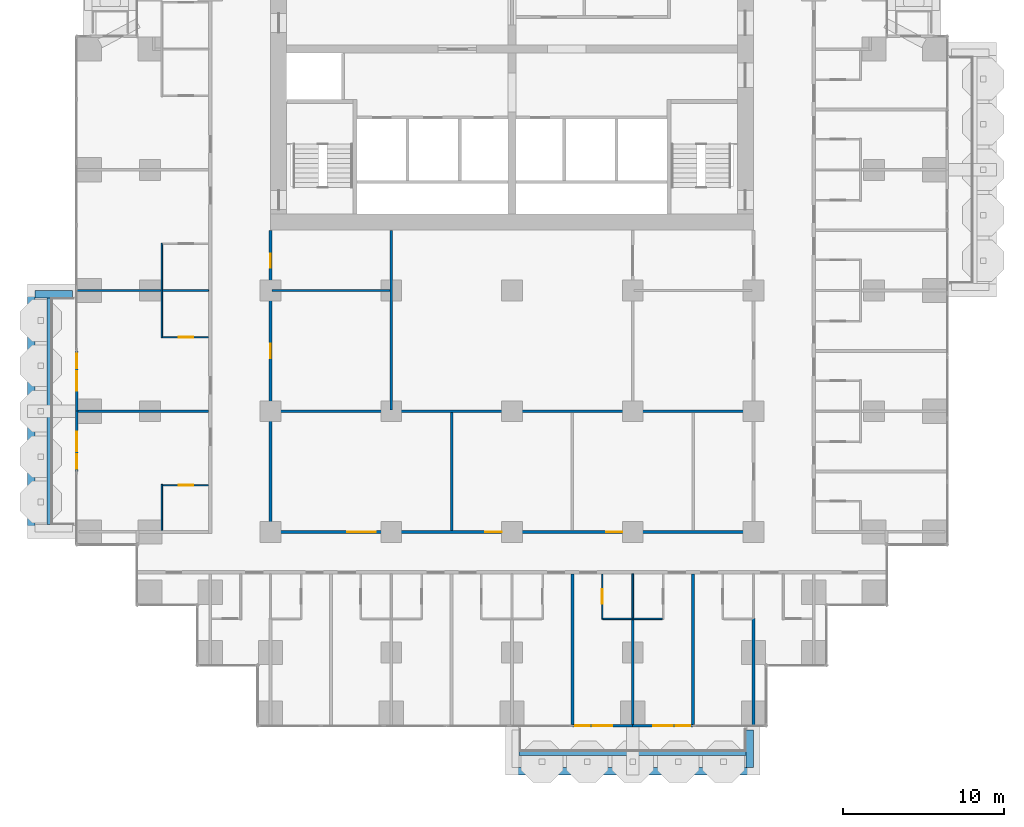
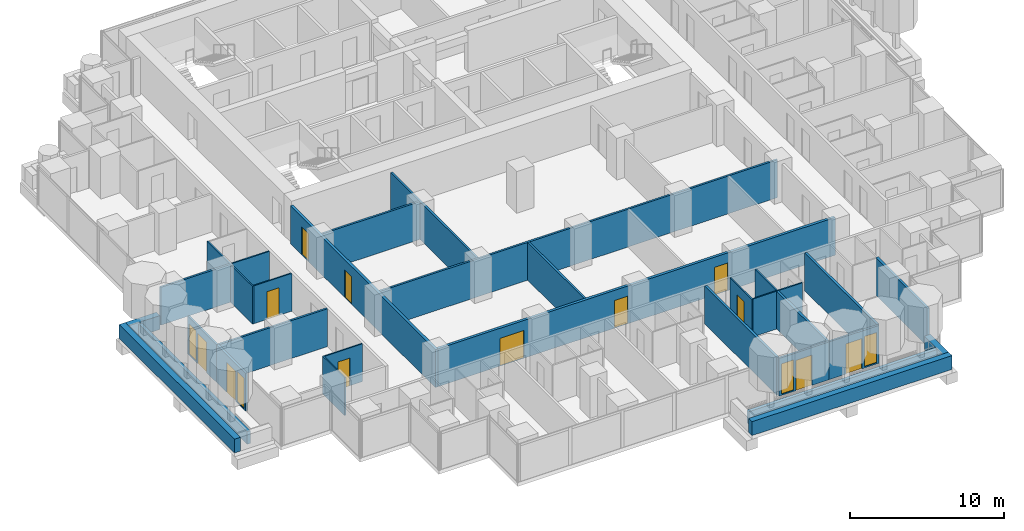
# One storey, part 12 of 20: 30 walls, 12 doors, 4 windows, 16 openings.
"""IFC4 building model written with IfcOpenShell, lengths in metres."""

from ifc_helpers import new_model, si_unit, direction, frame, frame_2d, origin, place, context, subcontext, project, spatial, rectangle, extrude, material, layer, layer_set, type_object, element, fill, save


model = new_model("IFC4")

# Units and contexts
model_context = context("Model", 3, precision=1e-05, world=origin(), true_north=direction((0.0, 1.0)))
body_context = subcontext(model_context, "Body", "Model", "MODEL_VIEW")
ifc_project = project(units=[si_unit("LENGTHUNIT", "METRE"), si_unit("AREAUNIT", "SQUARE_METRE"), si_unit("VOLUMEUNIT", "CUBIC_METRE"), si_unit("PLANEANGLEUNIT", "RADIAN"), si_unit("MASSUNIT", "GRAM", prefix="KILO")], contexts=[model_context])

# Site, building, storey
site_placement = place(None, origin())
site = spatial("IfcSite", under=ifc_project, at=site_placement, CompositionType="ELEMENT")
building_placement = place(site_placement, origin())
building = spatial("IfcBuilding", under=site, at=building_placement, Name="Pilkhan Gate Tower", CompositionType="ELEMENT")
storey_placement = place(building_placement, frame((0.0, 0.0, 92.300048828125)))
storey = spatial("IfcBuildingStorey", under=building, at=storey_placement, Name="L22", CompositionType="ELEMENT", Elevation=92.300048828125)

# Walls
ifc_material_1 = material(Name="Dense blockwork", Category="masonry")
ifc_layer_1 = layer(ifc_material_1, 0.175048828125)
ifc_layer_set_1 = layer_set([ifc_layer_1], Name="Acoustic party wall PW175")
wall_type_1 = type_object("IfcWallType", Name="Acoustic party wall PW175", PredefinedType="PARTITIONING", material=ifc_layer_set_1)
wall_1_placement = place(storey_placement, frame((78.75, 40.5400390625, 0.0), z_axis=(0.0, 0.0, 1.0), x_axis=(0.0, 1.0, 0.0)))
element("IfcWall", 1, at=wall_1_placement, inside=storey, type_object=wall_type_1, Name="Partition L22", PredefinedType="PARTITIONING", context=body_context, shape_type="SweptSolid", body=[
    extrude(rectangle(XDim=9.35986328125, YDim=0.175048828125, at=frame_2d((4.679931640625, 0.0))), origin(), (0.0, 0.0, 1.0), 3.0),
])
wall_2_placement = place(storey_placement, frame((82.5, 40.5400390625, 0.0), z_axis=(0.0, 0.0, 1.0), x_axis=(0.0, 1.0, 0.0)))
element("IfcWall", 2, at=wall_2_placement, inside=storey, type_object=wall_type_1, Name="Partition L22", PredefinedType="PARTITIONING", context=body_context, shape_type="SweptSolid", body=[
    extrude(rectangle(XDim=6.510009765625, YDim=0.175048828125, at=frame_2d((3.2548828125, 0.0))), origin(), (0.0, 0.0, 1.0), 3.0),
])
wall_3_placement = place(storey_placement, frame((86.25, 40.5400390625, 0.0), z_axis=(0.0, 0.0, 1.0), x_axis=(0.0, 1.0, 0.0)))
element("IfcWall", 3, at=wall_3_placement, inside=storey, type_object=wall_type_1, Name="Partition L22", PredefinedType="PARTITIONING", context=body_context, shape_type="SweptSolid", body=[
    extrude(rectangle(XDim=9.35986328125, YDim=0.175048828125, at=frame_2d((4.679931640625, 0.0))), origin(), (0.0, 0.0, 1.0), 3.0),
])
wall_4_placement = place(storey_placement, frame((90.0, 40.485107421875, 0.0), z_axis=(0.0, 0.0, 1.0), x_axis=(0.0, 1.0, 0.0)))
element("IfcWall", 4, at=wall_4_placement, inside=storey, type_object=wall_type_1, Name="Partition L22", PredefinedType="PARTITIONING", context=body_context, shape_type="SweptSolid", body=[
    extrude(rectangle(XDim=6.664794921875, YDim=0.175048828125, at=frame_2d((3.33251953125, 0.0))), origin(), (0.0, 0.0, 1.0), 3.0),
])
ifc_material_2 = material(Name="Concrete C40/50", Category="concrete")
ifc_layer_2 = layer(ifc_material_2, 0.25)
ifc_layer_set_2 = layer_set([ifc_layer_2], Name="Balcony planter BP250")
wall_type_2 = type_object("IfcWallType", Name="Balcony planter BP250", PredefinedType="USERDEFINED", material=ifc_layer_set_2)
for number, where, z_axis, x_axis, name in (
    (5, (75.449951171875, 38.72509765625, 0.0), (0.0, 0.0, 1.0), (1.0, 0.0, 0.0), "Balcony planter L22 S"),
    (6, (46.22509765625, 52.949951171875, 0.0), (0.0, 0.0, 1.0), (0.0, 1.0, 0.0), "Balcony planter L22 W"),
):
    element("IfcWall", number, at=place(storey_placement, frame(where, z_axis=z_axis, x_axis=x_axis)), inside=storey, type_object=wall_type_2, Name=name, ObjectType="BALCONY PLANTER", PredefinedType="USERDEFINED", context=body_context, shape_type="SweptSolid", body=[
        extrude(rectangle(XDim=14.10009765625, YDim=0.25, at=frame_2d((7.050048828125, 0.0))), origin(), (0.0, 0.0, 1.0), 1.0),
    ])
ifc_material_3 = material(Name="Board-marked Concrete C40/50", Category="concrete")
ifc_layer_3 = layer(ifc_material_3, 0.449951171875)
ifc_layer_set_3 = layer_set([ifc_layer_3], Name="Balcony planter lip BL450")
wall_type_3 = type_object("IfcWallType", Name="Balcony planter lip BL450", PredefinedType="USERDEFINED", material=ifc_layer_set_3)
wall_5_placement = place(storey_placement, frame((75.0, 37.625, 0.0), z_axis=(0.0, 0.0, 1.0), x_axis=(1.0, 0.0, 0.0)))
element("IfcWall", 7, at=wall_5_placement, inside=storey, type_object=wall_type_3, Name="Balcony planter L22 S", ObjectType="BALCONY PLANTER", PredefinedType="USERDEFINED", context=body_context, shape_type="SweptSolid", body=[
    extrude(rectangle(XDim=15.0, YDim=0.449951171875, at=frame_2d((7.5, 0.0))), origin(), (0.0, 0.0, 1.0), 1.099853515625),
])
wall_6_placement = place(storey_placement, frame((89.77490234375, 40.199951171875, 0.0), z_axis=(0.0, 0.0, 1.0), x_axis=(0.0, -1.0, 0.0)))
element("IfcWall", 8, at=wall_6_placement, inside=storey, type_object=wall_type_3, Name="Balcony planter L22 S", ObjectType="BALCONY PLANTER", PredefinedType="USERDEFINED", context=body_context, shape_type="SweptSolid", body=[
    extrude(rectangle(XDim=2.349853515625, YDim=0.449951171875, at=frame_2d((1.1748046875, 0.0))), origin(), (0.0, 0.0, 1.0), 1.099853515625),
])
wall_7_placement = place(storey_placement, frame((45.125, 52.5, 0.0), z_axis=(0.0, 0.0, 1.0), x_axis=(0.0, 1.0, 0.0)))
element("IfcWall", 9, at=wall_7_placement, inside=storey, type_object=wall_type_3, Name="Balcony planter L22 W", ObjectType="BALCONY PLANTER", PredefinedType="USERDEFINED", context=body_context, shape_type="SweptSolid", body=[
    extrude(rectangle(XDim=15.0, YDim=0.449951171875, at=frame_2d((7.5, 0.0))), origin(), (0.0, 0.0, 1.0), 1.099853515625),
])
wall_8_placement = place(storey_placement, frame((47.699951171875, 67.27490234375, 0.0), z_axis=(0.0, 0.0, 1.0), x_axis=(-1.0, 0.0, 0.0)))
element("IfcWall", 10, at=wall_8_placement, inside=storey, type_object=wall_type_3, Name="Balcony planter L22 W", ObjectType="BALCONY PLANTER", PredefinedType="USERDEFINED", context=body_context, shape_type="SweptSolid", body=[
    extrude(rectangle(XDim=2.349853515625, YDim=0.449951171875, at=frame_2d((1.1748046875, 0.0))), origin(), (0.0, 0.0, 1.0), 1.099853515625),
])

# Wall, openings, doors
ifc_layer_4 = layer(ifc_material_1, 0.199951171875)
ifc_layer_set_4 = layer_set([ifc_layer_4], Name="Corridor wall FW200")
wall_type_4 = type_object("IfcWallType", Name="Corridor wall FW200", PredefinedType="PARTITIONING", material=ifc_layer_set_4)
wall_9_placement = place(storey_placement, frame((60.10009765625, 52.5, 0.0), z_axis=(0.0, 0.0, 1.0), x_axis=(1.0, 0.0, 0.0)))
wall_9 = element("IfcWall", 11, at=wall_9_placement, inside=storey, type_object=wall_type_4, Name="Partition L22", PredefinedType="PARTITIONING", context=body_context, shape_type="SweptSolid", body=[
    extrude(rectangle(XDim=29.7998046875, YDim=0.199951171875, at=frame_2d((14.89990234375, 0.0))), origin(), (0.0, 0.0, 1.0), 3.0),
])
opening_1_placement = place(wall_9_placement, frame((4.64990234375, 0.0, 0.0)))
opening_1 = element("IfcOpeningElement", 12, at=opening_1_placement, cuts=wall_9, Name="Opening L22-60", PredefinedType="OPENING", context=body_context, shape_type="SweptSolid", body=[
    extrude(rectangle(XDim=1.800048828125, YDim=2.199951171875, at=frame_2d((0.89990234375, 1.10009765625))), frame((0.0, 0.10986328125, 0.0), z_axis=(0.0, -1.0, 0.0), x_axis=(1.0, 0.0, 0.0)), (0.0, 0.0, 1.0), 0.219970703125),
])
opening_2_placement = place(wall_9_placement, frame((13.25, 0.0, 0.0)))
opening_2 = element("IfcOpeningElement", 13, at=opening_2_placement, cuts=wall_9, Name="Opening L22-61", PredefinedType="OPENING", context=body_context, shape_type="SweptSolid", body=[
    extrude(rectangle(XDim=1.0, YDim=2.199951171875, at=frame_2d((0.5, 1.10009765625))), frame((0.0, 0.10986328125, 0.0), z_axis=(0.0, -1.0, 0.0), x_axis=(1.0, 0.0, 0.0)), (0.0, 0.0, 1.0), 0.219970703125),
])
opening_3_placement = place(wall_9_placement, frame((20.75, 0.0, 0.0)))
opening_3 = element("IfcOpeningElement", 14, at=opening_3_placement, cuts=wall_9, Name="Opening L22-62", PredefinedType="OPENING", context=body_context, shape_type="SweptSolid", body=[
    extrude(rectangle(XDim=1.0, YDim=2.199951171875, at=frame_2d((0.5, 1.10009765625))), frame((0.0, 0.10986328125, 0.0), z_axis=(0.0, -1.0, 0.0), x_axis=(1.0, 0.0, 0.0)), (0.0, 0.0, 1.0), 0.219970703125),
])
ifc_material_4 = material(Name="Timber glazed double door, 30 minute fire resisting", Category="wood")
door_type_1 = type_object("IfcDoorType", Name="Double door D04 1800x2200", OperationType="DOUBLE_DOOR_SINGLE_SWING", PredefinedType="DOOR", material=ifc_material_4)
door_1_placement = place(opening_1_placement, origin())
door_1 = element("IfcDoor", 15, at=door_1_placement, inside=storey, type_object=door_type_1, Name="Double door", OperationType="DOUBLE_DOOR_SINGLE_SWING", OverallHeight=2.199951171875, OverallWidth=1.800048828125, PredefinedType="DOOR", context=body_context, shape_type="SweptSolid", body=[
    extrude(rectangle(XDim=1.800048828125, YDim=2.199951171875, at=frame_2d((0.89990234375, 1.10009765625))), frame((0.0, 0.02490234375, 0.0), z_axis=(0.0, -1.0, 0.0), x_axis=(1.0, 0.0, 0.0)), (0.0, 0.0, 1.0), 0.050048828125),
])
fill(opening_1, door_1)
ifc_material_5 = material(Name="Timber flush door, 30 minute fire resisting", Category="wood")
door_type_2 = type_object("IfcDoorType", Name="Room door D03 1000x2200", OperationType="SINGLE_SWING_LEFT", PredefinedType="DOOR", material=ifc_material_5)
door_2_placement = place(opening_2_placement, origin())
door_2 = element("IfcDoor", 16, at=door_2_placement, inside=storey, type_object=door_type_2, Name="Room door", OperationType="SINGLE_SWING_LEFT", OverallHeight=2.199951171875, OverallWidth=1.0, PredefinedType="DOOR", context=body_context, shape_type="SweptSolid", body=[
    extrude(rectangle(XDim=1.0, YDim=2.199951171875, at=frame_2d((0.5, 1.10009765625))), frame((0.0, 0.02490234375, 0.0), z_axis=(0.0, -1.0, 0.0), x_axis=(1.0, 0.0, 0.0)), (0.0, 0.0, 1.0), 0.050048828125),
])
fill(opening_2, door_2)
door_3_placement = place(opening_3_placement, origin())
door_3 = element("IfcDoor", 17, at=door_3_placement, inside=storey, type_object=door_type_2, Name="Room door", OperationType="SINGLE_SWING_LEFT", OverallHeight=2.199951171875, OverallWidth=1.0, PredefinedType="DOOR", context=body_context, shape_type="SweptSolid", body=[
    extrude(rectangle(XDim=1.0, YDim=2.199951171875, at=frame_2d((0.5, 1.10009765625))), frame((0.0, 0.02490234375, 0.0), z_axis=(0.0, -1.0, 0.0), x_axis=(1.0, 0.0, 0.0)), (0.0, 0.0, 1.0), 0.050048828125),
])
fill(opening_3, door_3)

wall_10_placement = place(storey_placement, frame((60.0, 52.39990234375, 0.0), z_axis=(0.0, 0.0, 1.0), x_axis=(0.0, 1.0, 0.0)))
wall_10 = element("IfcWall", 18, at=wall_10_placement, inside=storey, type_object=wall_type_4, Name="Partition L22", PredefinedType="PARTITIONING", context=body_context, shape_type="SweptSolid", body=[
    extrude(rectangle(XDim=18.840087890625, YDim=0.199951171875, at=frame_2d((9.419921875, 0.0))), origin(), (0.0, 0.0, 1.0), 3.0),
])
opening_4_placement = place(wall_10_placement, frame((10.89990234375, 0.0, 0.0)))
opening_4 = element("IfcOpeningElement", 19, at=opening_4_placement, cuts=wall_10, Name="Opening L22-64", PredefinedType="OPENING", context=body_context, shape_type="SweptSolid", body=[
    extrude(rectangle(XDim=0.89990234375, YDim=2.199951171875, at=frame_2d((0.449951171875, 1.10009765625))), frame((0.0, 0.10986328125, 0.0), z_axis=(0.0, -1.0, 0.0), x_axis=(1.0, 0.0, 0.0)), (0.0, 0.0, 1.0), 0.219970703125),
])
opening_5_placement = place(wall_10_placement, frame((16.5, 0.0, 0.0)))
opening_5 = element("IfcOpeningElement", 20, at=opening_5_placement, cuts=wall_10, Name="Opening L22-65", PredefinedType="OPENING", context=body_context, shape_type="SweptSolid", body=[
    extrude(rectangle(XDim=0.89990234375, YDim=2.199951171875, at=frame_2d((0.449951171875, 1.10009765625))), frame((0.0, 0.10986328125, 0.0), z_axis=(0.0, -1.0, 0.0), x_axis=(1.0, 0.0, 0.0)), (0.0, 0.0, 1.0), 0.219970703125),
])
ifc_material_6 = material(Name="Timber flush door, 60 minute fire resisting, self-closing", Category="wood")
door_type_3 = type_object("IfcDoorType", Name="Store door D05 900x2200", OperationType="SINGLE_SWING_LEFT", PredefinedType="DOOR", material=ifc_material_6)
door_4_placement = place(opening_4_placement, origin())
door_4 = element("IfcDoor", 21, at=door_4_placement, inside=storey, type_object=door_type_3, Name="Store door", OperationType="SINGLE_SWING_LEFT", OverallHeight=2.199951171875, OverallWidth=0.89990234375, PredefinedType="DOOR", context=body_context, shape_type="SweptSolid", body=[
    extrude(rectangle(XDim=0.89990234375, YDim=2.199951171875, at=frame_2d((0.449951171875, 1.10009765625))), frame((0.0, 0.02490234375, 0.0), z_axis=(0.0, -1.0, 0.0), x_axis=(1.0, 0.0, 0.0)), (0.0, 0.0, 1.0), 0.050048828125),
])
fill(opening_4, door_4)
door_5_placement = place(opening_5_placement, origin())
door_5 = element("IfcDoor", 22, at=door_5_placement, inside=storey, type_object=door_type_3, Name="Store door", OperationType="SINGLE_SWING_LEFT", OverallHeight=2.199951171875, OverallWidth=0.89990234375, PredefinedType="DOOR", context=body_context, shape_type="SweptSolid", body=[
    extrude(rectangle(XDim=0.89990234375, YDim=2.199951171875, at=frame_2d((0.449951171875, 1.10009765625))), frame((0.0, 0.02490234375, 0.0), z_axis=(0.0, -1.0, 0.0), x_axis=(1.0, 0.0, 0.0)), (0.0, 0.0, 1.0), 0.050048828125),
])
fill(opening_5, door_5)

# Wall, openings, door, window
ifc_material_7 = material(Name="Pale anodised aluminium, clear laminated glazing", Category="aluminium")
ifc_layer_5 = layer(ifc_material_7, 0.14990234375)
ifc_layer_set_5 = layer_set([ifc_layer_5], Name="Facade infill wall IW150")
wall_type_5 = type_object("IfcWallType", Name="Facade infill wall IW150", PredefinedType="SOLIDWALL", material=ifc_layer_set_5)
wall_11_placement = place(storey_placement, frame((47.955078125, 56.25, 0.0), z_axis=(0.0, 0.0, 1.0), x_axis=(0.0, 1.0, 0.0)))
wall_11 = element("IfcWall", 23, at=wall_11_placement, inside=storey, type_object=wall_type_5, Name="Infill wall L22 W", PredefinedType="SOLIDWALL", context=body_context, shape_type="SweptSolid", body=[
    extrude(rectangle(XDim=3.75, YDim=0.14990234375, at=frame_2d((1.875, 0.0))), origin(), (0.0, 0.0, 1.0), 3.0),
])
opening_6_placement = place(wall_11_placement, frame((0.1875, 0.0, 0.10009765625)))
opening_6 = element("IfcOpeningElement", 24, at=opening_6_placement, cuts=wall_11, Name="Opening W1", PredefinedType="OPENING", context=body_context, shape_type="SweptSolid", body=[
    extrude(rectangle(XDim=0.89990234375, YDim=2.39990234375, at=frame_2d((0.449951171875, 1.199951171875))), frame((0.0, 0.0849609375, 0.0), z_axis=(0.0, -1.0, 0.0), x_axis=(1.0, 0.0, 0.0)), (0.0, 0.0, 1.0), 0.169921875),
])
opening_7_placement = place(wall_11_placement, frame((1.27490234375, 0.0, 0.0)))
opening_7 = element("IfcOpeningElement", 25, at=opening_7_placement, cuts=wall_11, Name="Opening D1", PredefinedType="OPENING", context=body_context, shape_type="SweptSolid", body=[
    extrude(rectangle(XDim=1.199951171875, YDim=2.39990234375, at=frame_2d((0.60009765625, 1.199951171875))), frame((0.0, 0.0849609375, 0.0), z_axis=(0.0, -1.0, 0.0), x_axis=(1.0, 0.0, 0.0)), (0.0, 0.0, 1.0), 0.169921875),
])
ifc_material_8 = material(Name="Pale anodised aluminium, clear glazing", Category="aluminium")
door_type_4 = type_object("IfcDoorType", Name="Balcony door D1 1200x2400", OperationType="SINGLE_SWING_LEFT", PredefinedType="DOOR", material=ifc_material_8)
door_6_placement = place(opening_7_placement, origin())
door_6 = element("IfcDoor", 26, at=door_6_placement, inside=storey, type_object=door_type_4, Name="Balcony door L22", OperationType="SINGLE_SWING_LEFT", OverallHeight=2.39990234375, OverallWidth=1.199951171875, PredefinedType="DOOR", context=body_context, shape_type="SweptSolid", body=[
    extrude(rectangle(XDim=1.199951171875, YDim=2.39990234375, at=frame_2d((0.60009765625, 1.199951171875))), frame((0.0, 0.02490234375, 0.0), z_axis=(0.0, -1.0, 0.0), x_axis=(1.0, 0.0, 0.0)), (0.0, 0.0, 1.0), 0.050048828125),
])
fill(opening_7, door_6)
ifc_material_9 = material(Name="Pale anodised aluminium, clear double glazing", Category="aluminium")
window_type = type_object("IfcWindowType", Name="Window W1 900x2400", PartitioningType="SINGLE_PANEL", PredefinedType="WINDOW", material=ifc_material_9)
window_1_placement = place(opening_6_placement, origin())
window_1 = element("IfcWindow", 27, at=window_1_placement, inside=storey, type_object=window_type, Name="Window L22", OverallHeight=2.39990234375, OverallWidth=0.89990234375, PartitioningType="SINGLE_PANEL", PredefinedType="WINDOW", context=body_context, shape_type="SweptSolid", body=[
    extrude(rectangle(XDim=0.89990234375, YDim=2.39990234375, at=frame_2d((0.449951171875, 1.199951171875))), frame((0.0, 0.030029296875, 0.0), z_axis=(0.0, -1.0, 0.0), x_axis=(1.0, 0.0, 0.0)), (0.0, 0.0, 1.0), 0.06005859375),
])
fill(opening_6, window_1)

wall_12_placement = place(storey_placement, frame((47.955078125, 60.0, 0.0), z_axis=(0.0, 0.0, 1.0), x_axis=(0.0, 1.0, 0.0)))
wall_12 = element("IfcWall", 28, at=wall_12_placement, inside=storey, type_object=wall_type_5, Name="Infill wall L22 W", PredefinedType="SOLIDWALL", context=body_context, shape_type="SweptSolid", body=[
    extrude(rectangle(XDim=3.75, YDim=0.14990234375, at=frame_2d((1.875, 0.0))), origin(), (0.0, 0.0, 1.0), 3.0),
])
opening_8_placement = place(wall_12_placement, frame((1.27490234375, 0.0, 0.0)))
opening_8 = element("IfcOpeningElement", 29, at=opening_8_placement, cuts=wall_12, Name="Opening D1", PredefinedType="OPENING", context=body_context, shape_type="SweptSolid", body=[
    extrude(rectangle(XDim=1.199951171875, YDim=2.39990234375, at=frame_2d((0.60009765625, 1.199951171875))), frame((0.0, 0.0849609375, 0.0), z_axis=(0.0, -1.0, 0.0), x_axis=(1.0, 0.0, 0.0)), (0.0, 0.0, 1.0), 0.169921875),
])
opening_9_placement = place(wall_12_placement, frame((2.66259765625, 0.0, 0.10009765625)))
opening_9 = element("IfcOpeningElement", 30, at=opening_9_placement, cuts=wall_12, Name="Opening W1", PredefinedType="OPENING", context=body_context, shape_type="SweptSolid", body=[
    extrude(rectangle(XDim=0.89990234375, YDim=2.39990234375, at=frame_2d((0.449951171875, 1.199951171875))), frame((0.0, 0.0849609375, 0.0), z_axis=(0.0, -1.0, 0.0), x_axis=(1.0, 0.0, 0.0)), (0.0, 0.0, 1.0), 0.169921875),
])
door_7_placement = place(opening_8_placement, origin())
door_7 = element("IfcDoor", 31, at=door_7_placement, inside=storey, type_object=door_type_4, Name="Balcony door L22", OperationType="SINGLE_SWING_LEFT", OverallHeight=2.39990234375, OverallWidth=1.199951171875, PredefinedType="DOOR", context=body_context, shape_type="SweptSolid", body=[
    extrude(rectangle(XDim=1.199951171875, YDim=2.39990234375, at=frame_2d((0.60009765625, 1.199951171875))), frame((0.0, 0.02490234375, 0.0), z_axis=(0.0, -1.0, 0.0), x_axis=(1.0, 0.0, 0.0)), (0.0, 0.0, 1.0), 0.050048828125),
])
fill(opening_8, door_7)
window_2_placement = place(opening_9_placement, origin())
window_2 = element("IfcWindow", 32, at=window_2_placement, inside=storey, type_object=window_type, Name="Window L22", OverallHeight=2.39990234375, OverallWidth=0.89990234375, PartitioningType="SINGLE_PANEL", PredefinedType="WINDOW", context=body_context, shape_type="SweptSolid", body=[
    extrude(rectangle(XDim=0.89990234375, YDim=2.39990234375, at=frame_2d((0.449951171875, 1.199951171875))), frame((0.0, 0.030029296875, 0.0), z_axis=(0.0, -1.0, 0.0), x_axis=(1.0, 0.0, 0.0)), (0.0, 0.0, 1.0), 0.06005859375),
])
fill(opening_9, window_2)

wall_13_placement = place(storey_placement, frame((78.75, 40.455078125, 0.0), z_axis=(0.0, 0.0, 1.0), x_axis=(1.0, 0.0, 0.0)))
wall_13 = element("IfcWall", 33, at=wall_13_placement, inside=storey, type_object=wall_type_5, Name="Infill wall L22 S", PredefinedType="SOLIDWALL", context=body_context, shape_type="SweptSolid", body=[
    extrude(rectangle(XDim=3.75, YDim=0.14990234375, at=frame_2d((1.875, 0.0))), origin(), (0.0, 0.0, 1.0), 3.0),
])
opening_10_placement = place(wall_13_placement, frame((0.1875, 0.0, 0.10009765625)))
opening_10 = element("IfcOpeningElement", 34, at=opening_10_placement, cuts=wall_13, Name="Opening W1", PredefinedType="OPENING", context=body_context, shape_type="SweptSolid", body=[
    extrude(rectangle(XDim=0.89990234375, YDim=2.39990234375, at=frame_2d((0.449951171875, 1.199951171875))), frame((0.0, 0.0849609375, 0.0), z_axis=(0.0, -1.0, 0.0), x_axis=(1.0, 0.0, 0.0)), (0.0, 0.0, 1.0), 0.169921875),
])
opening_11_placement = place(wall_13_placement, frame((1.27490234375, 0.0, 0.0)))
opening_11 = element("IfcOpeningElement", 35, at=opening_11_placement, cuts=wall_13, Name="Opening D1", PredefinedType="OPENING", context=body_context, shape_type="SweptSolid", body=[
    extrude(rectangle(XDim=1.199951171875, YDim=2.39990234375, at=frame_2d((0.60009765625, 1.199951171875))), frame((0.0, 0.0849609375, 0.0), z_axis=(0.0, -1.0, 0.0), x_axis=(1.0, 0.0, 0.0)), (0.0, 0.0, 1.0), 0.169921875),
])
door_8_placement = place(opening_11_placement, origin())
door_8 = element("IfcDoor", 36, at=door_8_placement, inside=storey, type_object=door_type_4, Name="Balcony door L22", OperationType="SINGLE_SWING_LEFT", OverallHeight=2.39990234375, OverallWidth=1.199951171875, PredefinedType="DOOR", context=body_context, shape_type="SweptSolid", body=[
    extrude(rectangle(XDim=1.199951171875, YDim=2.39990234375, at=frame_2d((0.60009765625, 1.199951171875))), frame((0.0, 0.02490234375, 0.0), z_axis=(0.0, -1.0, 0.0), x_axis=(1.0, 0.0, 0.0)), (0.0, 0.0, 1.0), 0.050048828125),
])
fill(opening_11, door_8)
window_3_placement = place(opening_10_placement, origin())
window_3 = element("IfcWindow", 37, at=window_3_placement, inside=storey, type_object=window_type, Name="Window L22", OverallHeight=2.39990234375, OverallWidth=0.89990234375, PartitioningType="SINGLE_PANEL", PredefinedType="WINDOW", context=body_context, shape_type="SweptSolid", body=[
    extrude(rectangle(XDim=0.89990234375, YDim=2.39990234375, at=frame_2d((0.449951171875, 1.199951171875))), frame((0.0, 0.030029296875, 0.0), z_axis=(0.0, -1.0, 0.0), x_axis=(1.0, 0.0, 0.0)), (0.0, 0.0, 1.0), 0.06005859375),
])
fill(opening_10, window_3)

wall_14_placement = place(storey_placement, frame((82.5, 40.455078125, 0.0), z_axis=(0.0, 0.0, 1.0), x_axis=(1.0, 0.0, 0.0)))
wall_14 = element("IfcWall", 38, at=wall_14_placement, inside=storey, type_object=wall_type_5, Name="Infill wall L22 S", PredefinedType="SOLIDWALL", context=body_context, shape_type="SweptSolid", body=[
    extrude(rectangle(XDim=3.75, YDim=0.14990234375, at=frame_2d((1.875, 0.0))), origin(), (0.0, 0.0, 1.0), 3.0),
])
opening_12_placement = place(wall_14_placement, frame((1.27490234375, 0.0, 0.0)))
opening_12 = element("IfcOpeningElement", 39, at=opening_12_placement, cuts=wall_14, Name="Opening D1", PredefinedType="OPENING", context=body_context, shape_type="SweptSolid", body=[
    extrude(rectangle(XDim=1.199951171875, YDim=2.39990234375, at=frame_2d((0.60009765625, 1.199951171875))), frame((0.0, 0.0849609375, 0.0), z_axis=(0.0, -1.0, 0.0), x_axis=(1.0, 0.0, 0.0)), (0.0, 0.0, 1.0), 0.169921875),
])
opening_13_placement = place(wall_14_placement, frame((2.66259765625, 0.0, 0.10009765625)))
opening_13 = element("IfcOpeningElement", 40, at=opening_13_placement, cuts=wall_14, Name="Opening W1", PredefinedType="OPENING", context=body_context, shape_type="SweptSolid", body=[
    extrude(rectangle(XDim=0.89990234375, YDim=2.39990234375, at=frame_2d((0.449951171875, 1.199951171875))), frame((0.0, 0.0849609375, 0.0), z_axis=(0.0, -1.0, 0.0), x_axis=(1.0, 0.0, 0.0)), (0.0, 0.0, 1.0), 0.169921875),
])
door_9_placement = place(opening_12_placement, origin())
door_9 = element("IfcDoor", 41, at=door_9_placement, inside=storey, type_object=door_type_4, Name="Balcony door L22", OperationType="SINGLE_SWING_LEFT", OverallHeight=2.39990234375, OverallWidth=1.199951171875, PredefinedType="DOOR", context=body_context, shape_type="SweptSolid", body=[
    extrude(rectangle(XDim=1.199951171875, YDim=2.39990234375, at=frame_2d((0.60009765625, 1.199951171875))), frame((0.0, 0.02490234375, 0.0), z_axis=(0.0, -1.0, 0.0), x_axis=(1.0, 0.0, 0.0)), (0.0, 0.0, 1.0), 0.050048828125),
])
fill(opening_12, door_9)
window_4_placement = place(opening_13_placement, origin())
window_4 = element("IfcWindow", 42, at=window_4_placement, inside=storey, type_object=window_type, Name="Window L22", OverallHeight=2.39990234375, OverallWidth=0.89990234375, PartitioningType="SINGLE_PANEL", PredefinedType="WINDOW", context=body_context, shape_type="SweptSolid", body=[
    extrude(rectangle(XDim=0.89990234375, YDim=2.39990234375, at=frame_2d((0.449951171875, 1.199951171875))), frame((0.0, 0.030029296875, 0.0), z_axis=(0.0, -1.0, 0.0), x_axis=(1.0, 0.0, 0.0)), (0.0, 0.0, 1.0), 0.06005859375),
])
fill(opening_13, window_4)

# Walls
ifc_material_10 = material(Name="Blockwork partition, plastered both sides", Category="masonry")
ifc_layer_6 = layer(ifc_material_10, 0.14990234375)
ifc_layer_set_6 = layer_set([ifc_layer_6], Name="Partition PW150")
wall_type_6 = type_object("IfcWallType", Name="Partition PW150", PredefinedType="PARTITIONING", material=ifc_layer_set_6)
wall_15_placement = place(storey_placement, frame((48.0400390625, 60.0, 0.0), z_axis=(0.0, 0.0, 1.0), x_axis=(1.0, 0.0, 0.0)))
element("IfcWall", 43, at=wall_15_placement, inside=storey, type_object=wall_type_6, Name="Partition L22", PredefinedType="PARTITIONING", context=body_context, shape_type="SweptSolid", body=[
    extrude(rectangle(XDim=8.10986328125, YDim=0.14990234375, at=frame_2d((4.054931640625, 0.0))), origin(), (0.0, 0.0, 1.0), 3.0),
])
wall_16_placement = place(storey_placement, frame((60.10009765625, 60.0, 0.0), z_axis=(0.0, 0.0, 1.0), x_axis=(1.0, 0.0, 0.0)))
element("IfcWall", 44, at=wall_16_placement, inside=storey, type_object=wall_type_6, Name="Partition L22", PredefinedType="PARTITIONING", context=body_context, shape_type="SweptSolid", body=[
    extrude(rectangle(XDim=29.7998046875, YDim=0.14990234375, at=frame_2d((14.89990234375, 0.0))), origin(), (0.0, 0.0, 1.0), 3.0),
])
wall_17_placement = place(storey_placement, frame((47.985107421875, 67.5, 0.0), z_axis=(0.0, 0.0, 1.0), x_axis=(1.0, 0.0, 0.0)))
element("IfcWall", 45, at=wall_17_placement, inside=storey, type_object=wall_type_6, Name="Partition L22", PredefinedType="PARTITIONING", context=body_context, shape_type="SweptSolid", body=[
    extrude(rectangle(XDim=5.21484375, YDim=0.14990234375, at=frame_2d((2.607421875, 0.0))), origin(), (0.0, 0.0, 1.0), 3.0),
])
wall_18_placement = place(storey_placement, frame((60.10009765625, 67.5, 0.0), z_axis=(0.0, 0.0, 1.0), x_axis=(1.0, 0.0, 0.0)))
element("IfcWall", 46, at=wall_18_placement, inside=storey, type_object=wall_type_6, Name="Partition L22", PredefinedType="PARTITIONING", context=body_context, shape_type="SweptSolid", body=[
    extrude(rectangle(XDim=7.324951171875, YDim=0.14990234375, at=frame_2d((3.66259765625, 0.0))), origin(), (0.0, 0.0, 1.0), 3.0),
])
wall_19_placement = place(storey_placement, frame((67.5, 60.074951171875, 0.0), z_axis=(0.0, 0.0, 1.0), x_axis=(0.0, 1.0, 0.0)))
element("IfcWall", 47, at=wall_19_placement, inside=storey, type_object=wall_type_6, Name="Partition L22", PredefinedType="PARTITIONING", context=body_context, shape_type="SweptSolid", body=[
    extrude(rectangle(XDim=11.1650390625, YDim=0.14990234375, at=frame_2d((5.58251953125, 0.0))), origin(), (0.0, 0.0, 1.0), 3.0),
])
wall_20_placement = place(storey_placement, frame((71.25, 52.60009765625, 0.0), z_axis=(0.0, 0.0, 1.0), x_axis=(0.0, 1.0, 0.0)))
element("IfcWall", 48, at=wall_20_placement, inside=storey, type_object=wall_type_6, Name="Partition L22", PredefinedType="PARTITIONING", context=body_context, shape_type="SweptSolid", body=[
    extrude(rectangle(XDim=7.324951171875, YDim=0.14990234375, at=frame_2d((3.66259765625, 0.0))), origin(), (0.0, 0.0, 1.0), 3.0),
])
ifc_material_11 = material(Name="Moisture resistant board, tiled")
ifc_layer_7 = layer(ifc_material_11, 0.10009765625)
ifc_layer_set_7 = layer_set([ifc_layer_7], Name="Wet wall PW100")
wall_type_7 = type_object("IfcWallType", Name="Wet wall PW100", PredefinedType="PARTITIONING", material=ifc_layer_set_7)
wall_21_placement = place(storey_placement, frame((80.64990234375, 47.10009765625, 0.0), z_axis=(0.0, 0.0, 1.0), x_axis=(1.0, 0.0, 0.0)))
element("IfcWall", 49, at=wall_21_placement, inside=storey, type_object=wall_type_7, Name="Partition L22", PredefinedType="PARTITIONING", context=body_context, shape_type="SweptSolid", body=[
    extrude(rectangle(XDim=3.7001953125, YDim=0.10009765625, at=frame_2d((1.85009765625, 0.0))), origin(), (0.0, 0.0, 1.0), 3.0),
])

# Wall, opening, door
wall_22_placement = place(storey_placement, frame((53.300048828125, 55.39990234375, 0.0), z_axis=(0.0, 0.0, 1.0), x_axis=(1.0, 0.0, 0.0)))
wall_22 = element("IfcWall", 50, at=wall_22_placement, inside=storey, type_object=wall_type_7, Name="Partition L22", PredefinedType="PARTITIONING", context=body_context, shape_type="SweptSolid", body=[
    extrude(rectangle(XDim=2.849853515625, YDim=0.10009765625, at=frame_2d((1.4248046875, 0.0))), origin(), (0.0, 0.0, 1.0), 3.0),
])
opening_14_placement = place(wall_22_placement, frame((1.0, 0.0, 0.0)))
opening_14 = element("IfcOpeningElement", 51, at=opening_14_placement, cuts=wall_22, Name="Opening L22-27", PredefinedType="OPENING", context=body_context, shape_type="SweptSolid", body=[
    extrude(rectangle(XDim=0.89990234375, YDim=2.199951171875, at=frame_2d((0.449951171875, 1.10009765625))), frame((0.0, 0.06005859375, 0.0), z_axis=(0.0, -1.0, 0.0), x_axis=(1.0, 0.0, 0.0)), (0.0, 0.0, 1.0), 0.1201171875),
])
ifc_material_12 = material(Name="Timber flush door", Category="wood")
door_type_5 = type_object("IfcDoorType", Name="Bathroom door D02 900x2200", OperationType="SINGLE_SWING_RIGHT", PredefinedType="DOOR", material=ifc_material_12)
door_10_placement = place(opening_14_placement, origin())
door_10 = element("IfcDoor", 52, at=door_10_placement, inside=storey, type_object=door_type_5, Name="Bathroom door", OperationType="SINGLE_SWING_RIGHT", OverallHeight=2.199951171875, OverallWidth=0.89990234375, PredefinedType="DOOR", context=body_context, shape_type="SweptSolid", body=[
    extrude(rectangle(XDim=0.89990234375, YDim=2.199951171875, at=frame_2d((0.449951171875, 1.10009765625))), frame((0.0, 0.02490234375, 0.0), z_axis=(0.0, -1.0, 0.0), x_axis=(1.0, 0.0, 0.0)), (0.0, 0.0, 1.0), 0.050048828125),
])
fill(opening_14, door_10)

wall_23_placement = place(storey_placement, frame((53.300048828125, 64.60009765625, 0.0), z_axis=(0.0, 0.0, 1.0), x_axis=(1.0, 0.0, 0.0)))
wall_23 = element("IfcWall", 53, at=wall_23_placement, inside=storey, type_object=wall_type_7, Name="Partition L22", PredefinedType="PARTITIONING", context=body_context, shape_type="SweptSolid", body=[
    extrude(rectangle(XDim=2.849853515625, YDim=0.10009765625, at=frame_2d((1.4248046875, 0.0))), origin(), (0.0, 0.0, 1.0), 3.0),
])
opening_15_placement = place(wall_23_placement, frame((1.0, 0.0, 0.0)))
opening_15 = element("IfcOpeningElement", 54, at=opening_15_placement, cuts=wall_23, Name="Opening L22-29", PredefinedType="OPENING", context=body_context, shape_type="SweptSolid", body=[
    extrude(rectangle(XDim=0.89990234375, YDim=2.199951171875, at=frame_2d((0.449951171875, 1.10009765625))), frame((0.0, 0.06005859375, 0.0), z_axis=(0.0, -1.0, 0.0), x_axis=(1.0, 0.0, 0.0)), (0.0, 0.0, 1.0), 0.1201171875),
])
door_11_placement = place(opening_15_placement, origin())
door_11 = element("IfcDoor", 55, at=door_11_placement, inside=storey, type_object=door_type_5, Name="Bathroom door", OperationType="SINGLE_SWING_RIGHT", OverallHeight=2.199951171875, OverallWidth=0.89990234375, PredefinedType="DOOR", context=body_context, shape_type="SweptSolid", body=[
    extrude(rectangle(XDim=0.89990234375, YDim=2.199951171875, at=frame_2d((0.449951171875, 1.10009765625))), frame((0.0, 0.02490234375, 0.0), z_axis=(0.0, -1.0, 0.0), x_axis=(1.0, 0.0, 0.0)), (0.0, 0.0, 1.0), 0.050048828125),
])
fill(opening_15, door_11)

# Walls
for number, where, z_axis, x_axis, name in (
    (56, (53.300048828125, 67.5, 0.0), (0.0, 0.0, 1.0), (1.0, 0.0, 0.0), "Partition L22"),
    (57, (53.25, 52.60009765625, 0.0), (0.0, 0.0, 1.0), (0.0, 1.0, 0.0), "Partition L22"),
):
    element("IfcWall", number, at=place(storey_placement, frame(where, z_axis=z_axis, x_axis=x_axis)), inside=storey, type_object=wall_type_7, Name=name, PredefinedType="PARTITIONING", context=body_context, shape_type="SweptSolid", body=[
        extrude(rectangle(XDim=2.849853515625, YDim=0.10009765625, at=frame_2d((1.4248046875, 0.0))), origin(), (0.0, 0.0, 1.0), 3.0),
    ])
wall_24_placement = place(storey_placement, frame((53.25, 64.550048828125, 0.0), z_axis=(0.0, 0.0, 1.0), x_axis=(0.0, 1.0, 0.0)))
element("IfcWall", 58, at=wall_24_placement, inside=storey, type_object=wall_type_7, Name="Partition L22", PredefinedType="PARTITIONING", context=body_context, shape_type="SweptSolid", body=[
    extrude(rectangle(XDim=5.89990234375, YDim=0.10009765625, at=frame_2d((2.949951171875, 0.0))), origin(), (0.0, 0.0, 1.0), 3.0),
])

# Wall, opening, door
wall_25_placement = place(storey_placement, frame((80.60009765625, 47.050048828125, 0.0), z_axis=(0.0, 0.0, 1.0), x_axis=(0.0, 1.0, 0.0)))
wall_25 = element("IfcWall", 59, at=wall_25_placement, inside=storey, type_object=wall_type_7, Name="Partition L22", PredefinedType="PARTITIONING", context=body_context, shape_type="SweptSolid", body=[
    extrude(rectangle(XDim=2.849853515625, YDim=0.10009765625, at=frame_2d((1.4248046875, 0.0))), origin(), (0.0, 0.0, 1.0), 3.0),
])
opening_16_placement = place(wall_25_placement, frame((1.0, 0.0, 0.0)))
opening_16 = element("IfcOpeningElement", 60, at=opening_16_placement, cuts=wall_25, Name="Opening L22-19", PredefinedType="OPENING", context=body_context, shape_type="SweptSolid", body=[
    extrude(rectangle(XDim=0.89990234375, YDim=2.199951171875, at=frame_2d((0.449951171875, 1.10009765625))), frame((0.0, 0.06005859375, 0.0), z_axis=(0.0, -1.0, 0.0), x_axis=(1.0, 0.0, 0.0)), (0.0, 0.0, 1.0), 0.1201171875),
])
door_12_placement = place(opening_16_placement, origin())
door_12 = element("IfcDoor", 61, at=door_12_placement, inside=storey, type_object=door_type_5, Name="Bathroom door", OperationType="SINGLE_SWING_RIGHT", OverallHeight=2.199951171875, OverallWidth=0.89990234375, PredefinedType="DOOR", context=body_context, shape_type="SweptSolid", body=[
    extrude(rectangle(XDim=0.89990234375, YDim=2.199951171875, at=frame_2d((0.449951171875, 1.10009765625))), frame((0.0, 0.02490234375, 0.0), z_axis=(0.0, -1.0, 0.0), x_axis=(1.0, 0.0, 0.0)), (0.0, 0.0, 1.0), 0.050048828125),
])
fill(opening_16, door_12)

# Wall
wall_26_placement = place(storey_placement, frame((82.5, 47.14990234375, 0.0), z_axis=(0.0, 0.0, 1.0), x_axis=(0.0, 1.0, 0.0)))
element("IfcWall", 62, at=wall_26_placement, inside=storey, type_object=wall_type_7, Name="Partition L22", PredefinedType="PARTITIONING", context=body_context, shape_type="SweptSolid", body=[
    extrude(rectangle(XDim=2.75, YDim=0.10009765625, at=frame_2d((1.375, 0.0))), origin(), (0.0, 0.0, 1.0), 3.0),
])

save(model, "model.ifc")
